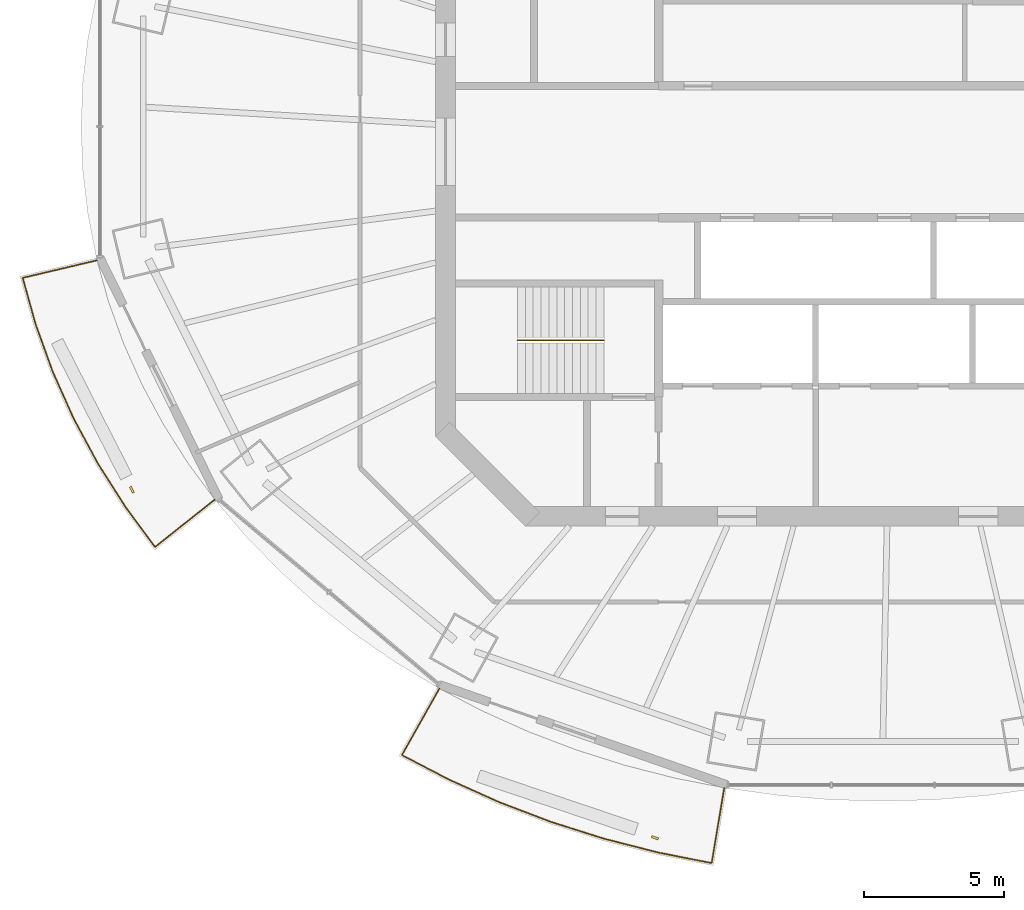
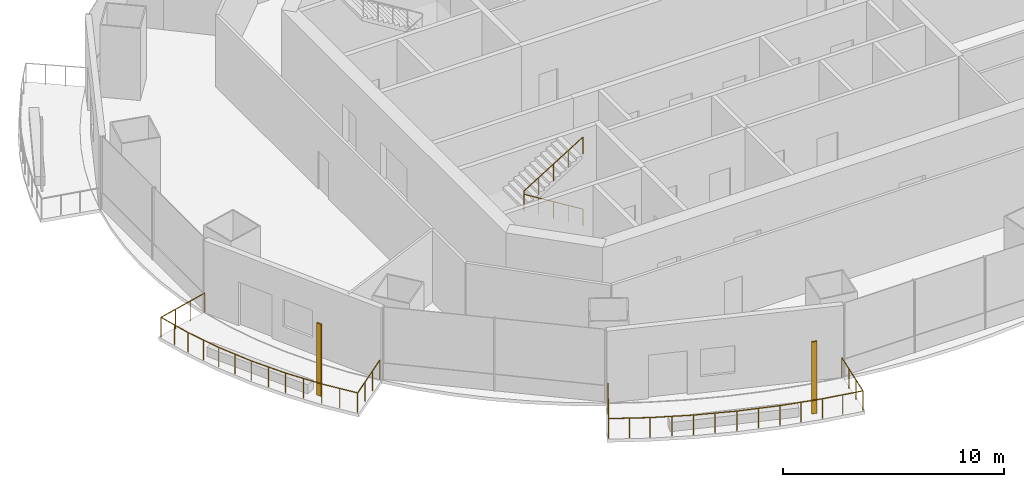
# One storey, part 12 of 16: 3 railings, 2 shading devices.
"""IFC4 building model written with IfcOpenShell, lengths in metres."""

from ifc_helpers import new_model, si_unit, direction, frame, origin, origin_2d, place, context, subcontext, project, spatial, rectangle, circle, extrude, material, material_profile, profile_set, type_object, element, save


model = new_model("IFC4")

# Units and contexts
model_context = context("Model", 3, precision=1e-05, world=origin(), true_north=direction((0.0, 1.0)))
body_context = subcontext(model_context, "Body", "Model", "MODEL_VIEW")
ifc_project = project(units=[si_unit("LENGTHUNIT", "METRE"), si_unit("AREAUNIT", "SQUARE_METRE"), si_unit("VOLUMEUNIT", "CUBIC_METRE"), si_unit("PLANEANGLEUNIT", "RADIAN"), si_unit("MASSUNIT", "GRAM", prefix="KILO")], contexts=[model_context])

# Site, building, storey
site_placement = place(None, origin())
site = spatial("IfcSite", under=ifc_project, at=site_placement, CompositionType="ELEMENT")
building_placement = place(site_placement, origin())
building = spatial("IfcBuilding", under=site, at=building_placement, Name="Marenthal Gate Tower", CompositionType="ELEMENT")
storey_placement = place(building_placement, frame((0.0, 0.0, 296.949951171875)))
storey = spatial("IfcBuildingStorey", under=building, at=storey_placement, Name="L66", CompositionType="ELEMENT", Elevation=296.949951171875)

# Railings
ifc_material_1 = material(Name="Stainless steel", Category="steel")
railing_type_1 = type_object("IfcRailingType", Name="Balcony guard 1100", PredefinedType="GUARDRAIL", material=ifc_material_1)
railing_1_placement = place(storey_placement, frame((-24.2265625, -12.4033203125, 0.0)))
element("IfcRailing", 1, at=railing_1_placement, inside=storey, type_object=railing_type_1, Name="Balcony guard L66 bay 9", PredefinedType="GUARDRAIL", context=body_context, shape_type="SweptSolid", body=[
    extrude(circle(Radius=0.02392578125, at=origin_2d()), frame((0.0, 0.0, 1.076171875), z_axis=(-0.783299764569, -0.621469871648, -0.014719968075), x_axis=(0.621537211848, -0.783384640064, 0.0)), (0.0, 0.0, 1.0), 2.719970703125),
    extrude(circle(Radius=0.02392578125, at=origin_2d()), frame((-2.130615234375, -1.6904296875, 1.0361328125), z_axis=(-0.593189639739, 0.80506276234, 0.0), x_axis=(-0.80506276234, -0.593189639739, 0.0)), (0.0, 0.0, 1.0), 1.772216796875),
    extrude(circle(Radius=0.02392578125, at=origin_2d()), frame((-3.181884765625, -0.263671875, 1.0361328125), z_axis=(-0.536179368299, 0.844104072381, 0.0), x_axis=(-0.844104072381, -0.536179368299, 0.0)), (0.0, 0.0, 1.0), 1.838623046875),
    extrude(circle(Radius=0.02392578125, at=origin_2d()), frame((-4.167724609375, 1.288330078125, 1.0361328125), z_axis=(-0.474067933151, 0.880488270653, 0.0), x_axis=(-0.880488270653, -0.474067933151, 0.0)), (0.0, 0.0, 1.0), 1.826171875),
    extrude(circle(Radius=0.02392578125, at=origin_2d()), frame((-5.033447265625, 2.896240234375, 1.0361328125), z_axis=(-0.408333619035, 0.912832764292, 0.0), x_axis=(-0.912832764292, -0.408333619035, 0.0)), (0.0, 0.0, 1.0), 1.815185546875),
    extrude(circle(Radius=0.02392578125, at=origin_2d()), frame((-5.774658203125, 4.55322265625, 1.0361328125), z_axis=(-0.33909288178, 0.940752899292, 0.0), x_axis=(-0.940752899292, -0.33909288178, 0.0)), (0.0, 0.0, 1.0), 1.8056640625),
    extrude(circle(Radius=0.02392578125, at=origin_2d()), frame((-6.386962890625, 6.251953125, 1.0361328125), z_axis=(-0.268728447288, 0.963215978698, 0.0), x_axis=(-0.963215978698, -0.268728447288, 0.0)), (0.0, 0.0, 1.0), 1.718017578125),
    extrude(circle(Radius=0.02392578125, at=origin_2d()), frame((-6.8486328125, 7.90673828125, 1.0361328125), z_axis=(0.973117172157, 0.229839811666, 0.014718363574), x_axis=(-0.229864710837, 0.973222592582, 0.0)), (0.0, 0.0, 1.0), 2.720458984375),
    extrude(circle(Radius=0.02099609375, at=origin_2d()), origin(), (0.0, 0.0, 1.0), 1.052001953125),
    extrude(circle(Radius=0.02099609375, at=origin_2d()), frame((-0.710205078125, -0.5634765625, -0.013427734375)), (0.0, 0.0, 1.0), 1.052001953125),
    extrude(circle(Radius=0.02099609375, at=origin_2d()), frame((-1.42041015625, -1.126953125, -0.026611328125)), (0.0, 0.0, 1.0), 1.052001953125),
    extrude(circle(Radius=0.02099609375, at=origin_2d()), frame((-2.130615234375, -1.6904296875, -0.0400390625)), (0.0, 0.0, 1.0), 1.052001953125),
    extrude(circle(Radius=0.02099609375, at=origin_2d()), frame((-2.65625, -0.97705078125, -0.0400390625)), (0.0, 0.0, 1.0), 1.052001953125),
    extrude(circle(Radius=0.02099609375, at=origin_2d()), frame((-3.181884765625, -0.263671875, -0.0400390625)), (0.0, 0.0, 1.0), 1.052001953125),
    extrude(circle(Radius=0.02099609375, at=origin_2d()), frame((-3.6748046875, 0.51220703125, -0.0400390625)), (0.0, 0.0, 1.0), 1.052001953125),
    extrude(circle(Radius=0.02099609375, at=origin_2d()), frame((-4.167724609375, 1.288330078125, -0.0400390625)), (0.0, 0.0, 1.0), 1.052001953125),
    extrude(circle(Radius=0.02099609375, at=origin_2d()), frame((-4.6005859375, 2.09228515625, -0.0400390625)), (0.0, 0.0, 1.0), 1.052001953125),
    extrude(circle(Radius=0.02099609375, at=origin_2d()), frame((-5.033447265625, 2.896240234375, -0.0400390625)), (0.0, 0.0, 1.0), 1.052001953125),
    extrude(circle(Radius=0.02099609375, at=origin_2d()), frame((-5.404052734375, 3.724609375, -0.0400390625)), (0.0, 0.0, 1.0), 1.052001953125),
    extrude(circle(Radius=0.02099609375, at=origin_2d()), frame((-5.774658203125, 4.55322265625, -0.0400390625)), (0.0, 0.0, 1.0), 1.052001953125),
    extrude(circle(Radius=0.02099609375, at=origin_2d()), frame((-6.080810546875, 5.402587890625, -0.0400390625)), (0.0, 0.0, 1.0), 1.052001953125),
    extrude(circle(Radius=0.02099609375, at=origin_2d()), frame((-6.386962890625, 6.251953125, -0.0400390625)), (0.0, 0.0, 1.0), 1.052001953125),
    extrude(circle(Radius=0.02099609375, at=origin_2d()), frame((-6.61767578125, 7.079345703125, -0.0400390625)), (0.0, 0.0, 1.0), 1.052001953125),
    extrude(circle(Radius=0.02099609375, at=origin_2d()), frame((-6.8486328125, 7.90673828125, -0.0400390625)), (0.0, 0.0, 1.0), 1.052001953125),
    extrude(circle(Radius=0.02099609375, at=origin_2d()), frame((-5.96630859375, 8.115234375, -0.026611328125)), (0.0, 0.0, 1.0), 1.052001953125),
    extrude(circle(Radius=0.02099609375, at=origin_2d()), frame((-5.083740234375, 8.323486328125, -0.013427734375)), (0.0, 0.0, 1.0), 1.052001953125),
    extrude(circle(Radius=0.02099609375, at=origin_2d()), frame((-4.201416015625, 8.531982421875, 0.0)), (0.0, 0.0, 1.0), 1.052001953125),
])
railing_2_placement = place(storey_placement, frame((-6.0576171875, -22.6826171875, 0.0)))
element("IfcRailing", 2, at=railing_2_placement, inside=storey, type_object=railing_type_1, Name="Balcony guard L66 bay 11", PredefinedType="GUARDRAIL", context=body_context, shape_type="SweptSolid", body=[
    extrude(circle(Radius=0.02392578125, at=origin_2d()), frame((0.0, 0.0, 1.076171875), z_axis=(-0.165225230724, -0.986146026723, -0.014718597414), x_axis=(0.986252861995, -0.165243130591, 0.0)), (0.0, 0.0, 1.0), 2.72021484375),
    extrude(circle(Radius=0.02392578125, at=origin_2d()), frame((-0.449462890625, -2.6826171875, 1.0361328125), z_axis=(-0.981054729466, 0.193730786897, 0.0), x_axis=(-0.193730786897, -0.981054729466, 0.0)), (0.0, 0.0, 1.0), 1.929443359375),
    extrude(circle(Radius=0.02392578125, at=origin_2d()), frame((-2.34228515625, -2.308837890625, 1.0361328125), z_axis=(-0.968925174526, 0.247354009811, 0.0), x_axis=(-0.247354009811, -0.968925174526, 0.0)), (0.0, 0.0, 1.0), 2.001708984375),
    extrude(circle(Radius=0.02392578125, at=origin_2d()), frame((-4.28173828125, -1.813720703125, 1.0361328125), z_axis=(-0.95337689514, 0.301782199297, 0.0), x_axis=(-0.301782199297, -0.95337689514, 0.0)), (0.0, 0.0, 1.0), 1.99267578125),
    extrude(circle(Radius=0.02392578125, at=origin_2d()), frame((-6.181396484375, -1.21240234375, 1.0361328125), z_axis=(-0.934386218754, 0.356261693426, 0.0), x_axis=(-0.356261693426, -0.934386218754, 0.0)), (0.0, 0.0, 1.0), 1.98193359375),
    extrude(circle(Radius=0.02392578125, at=origin_2d()), frame((-8.033203125, -0.50634765625, 1.0361328125), z_axis=(-0.91201888662, 0.410148205467, 0.0), x_axis=(-0.410148205467, -0.91201888662, 0.0)), (0.0, 0.0, 1.0), 1.9697265625),
    extrude(circle(Radius=0.02392578125, at=origin_2d()), frame((-9.82958984375, 0.301513671875, 1.0361328125), z_axis=(-0.886647463559, 0.46244597021, 0.0), x_axis=(-0.46244597021, -0.886647463559, 0.0)), (0.0, 0.0, 1.0), 1.876708984375),
    extrude(circle(Radius=0.02392578125, at=origin_2d()), frame((-11.49365234375, 1.16943359375, 1.0361328125), z_axis=(0.490391346697, 0.871378035337, 0.014718920362), x_axis=(-0.871472441229, 0.490444476143, 0.0)), (0.0, 0.0, 1.0), 2.72021484375),
    extrude(circle(Radius=0.02099609375, at=origin_2d()), origin(), (0.0, 0.0, 1.0), 1.052001953125),
    extrude(circle(Radius=0.02099609375, at=origin_2d()), frame((-0.14990234375, -0.894287109375, -0.013427734375)), (0.0, 0.0, 1.0), 1.052001953125),
    extrude(circle(Radius=0.02099609375, at=origin_2d()), frame((-0.299560546875, -1.788330078125, -0.026611328125)), (0.0, 0.0, 1.0), 1.052001953125),
    extrude(circle(Radius=0.02099609375, at=origin_2d()), frame((-0.449462890625, -2.6826171875, -0.0400390625)), (0.0, 0.0, 1.0), 1.052001953125),
    extrude(circle(Radius=0.02099609375, at=origin_2d()), frame((-1.39599609375, -2.49560546875, -0.0400390625)), (0.0, 0.0, 1.0), 1.052001953125),
    extrude(circle(Radius=0.02099609375, at=origin_2d()), frame((-2.34228515625, -2.308837890625, -0.0400390625)), (0.0, 0.0, 1.0), 1.052001953125),
    extrude(circle(Radius=0.02099609375, at=origin_2d()), frame((-3.31201171875, -2.061279296875, -0.0400390625)), (0.0, 0.0, 1.0), 1.052001953125),
    extrude(circle(Radius=0.02099609375, at=origin_2d()), frame((-4.28173828125, -1.813720703125, -0.0400390625)), (0.0, 0.0, 1.0), 1.052001953125),
    extrude(circle(Radius=0.02099609375, at=origin_2d()), frame((-5.2314453125, -1.51318359375, -0.0400390625)), (0.0, 0.0, 1.0), 1.052001953125),
    extrude(circle(Radius=0.02099609375, at=origin_2d()), frame((-6.181396484375, -1.21240234375, -0.0400390625)), (0.0, 0.0, 1.0), 1.052001953125),
    extrude(circle(Radius=0.02099609375, at=origin_2d()), frame((-7.107421875, -0.859375, -0.0400390625)), (0.0, 0.0, 1.0), 1.052001953125),
    extrude(circle(Radius=0.02099609375, at=origin_2d()), frame((-8.033203125, -0.50634765625, -0.0400390625)), (0.0, 0.0, 1.0), 1.052001953125),
    extrude(circle(Radius=0.02099609375, at=origin_2d()), frame((-8.931396484375, -0.1025390625, -0.0400390625)), (0.0, 0.0, 1.0), 1.052001953125),
    extrude(circle(Radius=0.02099609375, at=origin_2d()), frame((-9.82958984375, 0.301513671875, -0.0400390625)), (0.0, 0.0, 1.0), 1.052001953125),
    extrude(circle(Radius=0.02099609375, at=origin_2d()), frame((-10.66162109375, 0.7353515625, -0.0400390625)), (0.0, 0.0, 1.0), 1.052001953125),
    extrude(circle(Radius=0.02099609375, at=origin_2d()), frame((-11.49365234375, 1.16943359375, -0.0400390625)), (0.0, 0.0, 1.0), 1.052001953125),
    extrude(circle(Radius=0.02099609375, at=origin_2d()), frame((-11.049072265625, 1.95947265625, -0.026611328125)), (0.0, 0.0, 1.0), 1.052001953125),
    extrude(circle(Radius=0.02099609375, at=origin_2d()), frame((-10.604248046875, 2.749755859375, -0.013427734375)), (0.0, 0.0, 1.0), 1.052001953125),
    extrude(circle(Radius=0.02099609375, at=origin_2d()), frame((-10.15966796875, 3.539794921875, 0.0)), (0.0, 0.0, 1.0), 1.052001953125),
])
ifc_material_2 = material(Name="Stainless steel", Category="steel")
railing_type_2 = type_object("IfcRailingType", Name="Stair handrail", PredefinedType="HANDRAIL", material=ifc_material_2)
railing_3_placement = place(storey_placement, frame((-10.35009765625, -6.72509765625, 0.1728515625)))
element("IfcRailing", 3, at=railing_3_placement, inside=storey, type_object=railing_type_2, Name="Handrail ST2", PredefinedType="HANDRAIL", context=body_context, shape_type="SweptSolid", body=[
    extrude(circle(Radius=0.0224609375, at=origin_2d()), frame((0.0, 0.0, 0.927490234375), z_axis=(-0.850816621229, 0.0, 0.525462726595), x_axis=(0.0, -1.0, 0.0)), (0.0, 0.0, 1.0), 3.619873046875),
    extrude(circle(Radius=0.0224609375, at=origin_2d()), frame((-3.079833984375, 0.0, 2.82958984375), z_axis=(0.0, 0.0, 1.0), x_axis=(1.0, 0.0, 0.0)), (0.0, 0.0, 1.0), 0.173095703125),
    extrude(circle(Radius=0.0224609375, at=origin_2d()), frame((-3.079833984375, 0.0, 3.002685546875), z_axis=(0.850816621229, 0.0, 0.525462726595), x_axis=(0.0, 1.0, 0.0)), (0.0, 0.0, 1.0), 3.619873046875),
    extrude(circle(Radius=0.02001953125, at=origin_2d()), origin(), (0.0, 0.0, 1.0), 0.905029296875),
    extrude(circle(Radius=0.02001953125, at=origin_2d()), frame((-0.77001953125, 0.0, 0.4755859375)), (0.0, 0.0, 1.0), 0.905029296875),
    extrude(circle(Radius=0.02001953125, at=origin_2d()), frame((-1.5400390625, 0.0, 0.951171875)), (0.0, 0.0, 1.0), 0.905029296875),
    extrude(circle(Radius=0.02001953125, at=origin_2d()), frame((-2.309814453125, 0.0, 1.426513671875)), (0.0, 0.0, 1.0), 0.905029296875),
    extrude(circle(Radius=0.02001953125, at=origin_2d()), frame((-3.079833984375, 0.0, 1.902099609375)), (0.0, 0.0, 1.0), 0.905029296875),
    extrude(circle(Radius=0.02001953125, at=origin_2d()), frame((-3.079833984375, 0.0, 2.0751953125)), (0.0, 0.0, 1.0), 0.905029296875),
    extrude(circle(Radius=0.02001953125, at=origin_2d()), frame((-2.309814453125, 0.0, 2.55078125)), (0.0, 0.0, 1.0), 0.905029296875),
    extrude(circle(Radius=0.02001953125, at=origin_2d()), frame((-1.5400390625, 0.0, 3.0263671875)), (0.0, 0.0, 1.0), 0.905029296875),
    extrude(circle(Radius=0.02001953125, at=origin_2d()), frame((-0.77001953125, 0.0, 3.501708984375)), (0.0, 0.0, 1.0), 0.905029296875),
    extrude(circle(Radius=0.02001953125, at=origin_2d()), frame((0.0, 0.0, 3.977294921875)), (0.0, 0.0, 1.0), 0.905029296875),
])

# Shading devices
ifc_material_3 = material(Name="Terracotta", Category="masonry")
ifc_material_profile = material_profile(ifc_material_3, rectangle(XDim=0.25, YDim=0.080078125, at=origin_2d()), Name="Terracotta baguette 250x80")
ifc_profile_set = profile_set([ifc_material_profile], Name="Terracotta")
shading_device_type = type_object("IfcShadingDeviceType", Name="Terracotta BAGUETTE SCREEN 250x80", PredefinedType="USERDEFINED", material=ifc_profile_set)
for number, where, z_axis, x_axis, name in (
    (4, (-27.18505859375, -12.05078125, -0.0400390625), (0.0, 0.0, 1.0), (0.441623511691, -0.897200464735, 0.0), "Terracotta BAGUETTE L66 bay 9R"),
    (5, (-8.529541015625, -24.462646484375, -0.0400390625), (0.0, 0.0, 1.0), (0.944279584145, -0.329144446962, 0.0), "Terracotta BAGUETTE L66 bay 11R"),
):
    element("IfcShadingDevice", number, at=place(storey_placement, frame(where, z_axis=z_axis, x_axis=x_axis)), inside=storey, type_object=shading_device_type, Name=name, ObjectType="BAGUETTE SCREEN", PredefinedType="USERDEFINED", context=body_context, shape_type="SweptSolid", body=[
        extrude(rectangle(XDim=0.25, YDim=0.080078125, at=origin_2d()), origin(), (0.0, 0.0, 1.0), 3.969970703125),
    ])

save(model, "model.ifc")
